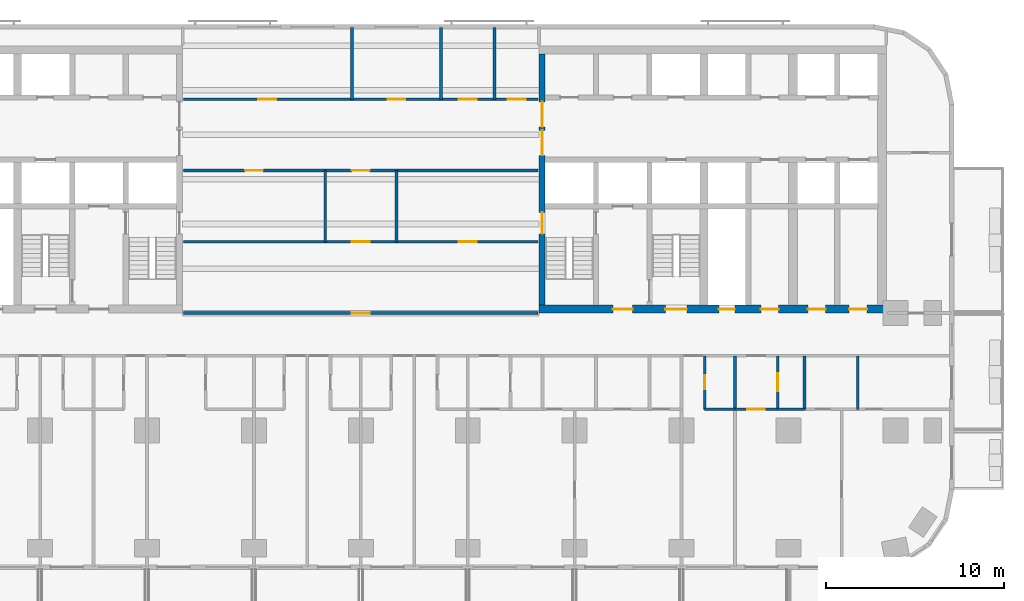
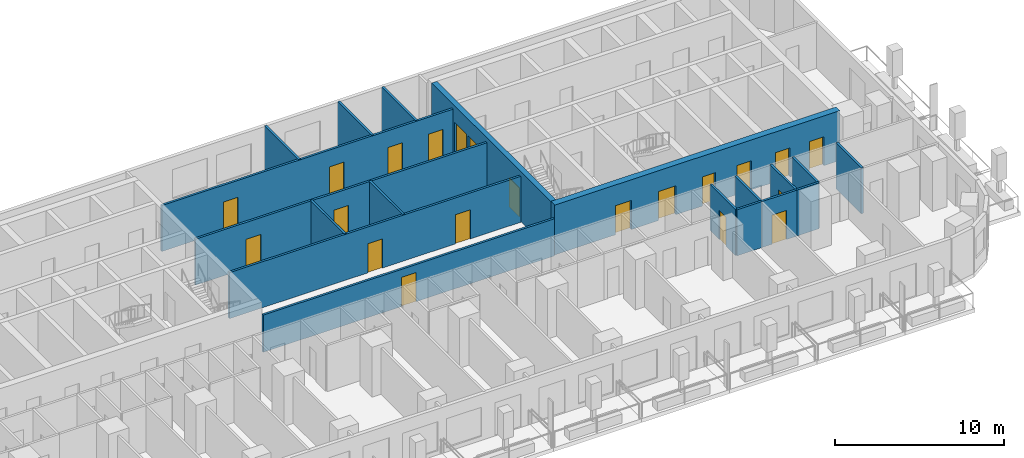
# One storey, part 7 of 15: 21 doors, 19 walls, 21 openings.
"""IFC4 building model written with IfcOpenShell, lengths in metres."""

from ifc_helpers import new_model, si_unit, direction, frame, frame_2d, origin, place, context, subcontext, project, spatial, rectangle, extrude, material, layer, layer_set, type_object, element, fill, save


model = new_model("IFC4")

# Units and contexts
model_context = context("Model", 3, precision=1e-05, world=origin(), true_north=direction((0.0, 1.0)))
body_context = subcontext(model_context, "Body", "Model", "MODEL_VIEW")
ifc_project = project(units=[si_unit("LENGTHUNIT", "METRE"), si_unit("AREAUNIT", "SQUARE_METRE"), si_unit("VOLUMEUNIT", "CUBIC_METRE"), si_unit("PLANEANGLEUNIT", "RADIAN"), si_unit("MASSUNIT", "GRAM", prefix="KILO")], contexts=[model_context])

# Site, building, storey
site_placement = place(None, origin())
site = spatial("IfcSite", under=ifc_project, at=site_placement, CompositionType="ELEMENT")
building_placement = place(site_placement, origin())
building = spatial("IfcBuilding", under=site, at=building_placement, Name="Torana Hotel and Residences", CompositionType="ELEMENT")
storey_placement = place(building_placement, frame((0.0, 0.0, 52.800048828125)))
storey = spatial("IfcBuildingStorey", under=building, at=storey_placement, Name="L12", CompositionType="ELEMENT", Elevation=52.800048828125)

# Wall, openings, doors
ifc_material_1 = material(Name="Concrete C80/95", Category="concrete")
ifc_layer_1 = layer(ifc_material_1, 0.35009765625)
ifc_layer_set_1 = layer_set([ifc_layer_1], Name="CORE WALL 350 C80/95")
wall_type_1 = type_object("IfcWallType", Name="CORE WALL 350 C80/95", PredefinedType="SHEAR", material=ifc_layer_set_1)
wall_1_placement = place(storey_placement, frame((10.175048828125, -14.550048828125, 0.0), z_axis=(0.0, 0.0, 1.0), x_axis=(0.0, 1.0, 0.0)))
wall_1 = element("IfcWall", 1, at=wall_1_placement, inside=storey, type_object=wall_type_1, Name="Core wall E arch", PredefinedType="SHEAR", context=body_context, shape_type="SweptSolid", body=[
    extrude(rectangle(XDim=14.10009765625, YDim=0.35009765625, at=frame_2d((7.050048828125, 0.0))), origin(), (0.0, 0.0, 1.0), 3.599853515625),
])
opening_1_placement = place(wall_1_placement, frame((8.39990234375, 0.0, 0.0)))
opening_1 = element("IfcOpeningElement", 2, at=opening_1_placement, cuts=wall_1, Name="Opening L12-17", PredefinedType="OPENING", context=body_context, shape_type="SweptSolid", body=[
    extrude(rectangle(XDim=1.39990234375, YDim=2.39990234375, at=frame_2d((0.699951171875, 1.199951171875))), frame((0.0, 0.18505859375, 0.0), z_axis=(0.0, -1.0, 0.0), x_axis=(1.0, 0.0, 0.0)), (0.0, 0.0, 1.0), 0.3701171875),
])
opening_2_placement = place(wall_1_placement, frame((10.0, 0.0, 0.0)))
opening_2 = element("IfcOpeningElement", 3, at=opening_2_placement, cuts=wall_1, Name="Opening L12-18", PredefinedType="OPENING", context=body_context, shape_type="SweptSolid", body=[
    extrude(rectangle(XDim=1.39990234375, YDim=2.39990234375, at=frame_2d((0.699951171875, 1.199951171875))), frame((0.0, 0.18505859375, 0.0), z_axis=(0.0, -1.0, 0.0), x_axis=(1.0, 0.0, 0.0)), (0.0, 0.0, 1.0), 0.3701171875),
])
opening_3_placement = place(wall_1_placement, frame((4.0, 0.0, 0.0)))
opening_3 = element("IfcOpeningElement", 4, at=opening_3_placement, cuts=wall_1, Name="Opening L12-19", PredefinedType="OPENING", context=body_context, shape_type="SweptSolid", body=[
    extrude(rectangle(XDim=1.199951171875, YDim=2.10009765625, at=frame_2d((0.60009765625, 1.050048828125))), frame((0.0, 0.18505859375, 0.0), z_axis=(0.0, -1.0, 0.0), x_axis=(1.0, 0.0, 0.0)), (0.0, 0.0, 1.0), 0.3701171875),
])
ifc_material_2 = material(Name="Steel S235", Category="steel")
door_type_1 = type_object("IfcDoorType", Name="LOBBY FIRE DOOR D4 1400x2400", OperationType="DOUBLE_DOOR_SINGLE_SWING", PredefinedType="DOOR", material=ifc_material_2)
door_1_placement = place(opening_1_placement, origin())
door_1 = element("IfcDoor", 5, at=door_1_placement, inside=storey, type_object=door_type_1, Name="Lobby-1 door L12", OperationType="DOUBLE_DOOR_SINGLE_SWING", OverallHeight=2.39990234375, OverallWidth=1.39990234375, PredefinedType="DOOR", context=body_context, shape_type="SweptSolid", body=[
    extrude(rectangle(XDim=1.39990234375, YDim=2.39990234375, at=frame_2d((0.699951171875, 1.199951171875))), frame((0.0, 0.02490234375, 0.0), z_axis=(0.0, -1.0, 0.0), x_axis=(1.0, 0.0, 0.0)), (0.0, 0.0, 1.0), 0.050048828125),
])
fill(opening_1, door_1)
door_2_placement = place(opening_2_placement, origin())
door_2 = element("IfcDoor", 6, at=door_2_placement, inside=storey, type_object=door_type_1, Name="Lobby-2 door L12", OperationType="DOUBLE_DOOR_SINGLE_SWING", OverallHeight=2.39990234375, OverallWidth=1.39990234375, PredefinedType="DOOR", context=body_context, shape_type="SweptSolid", body=[
    extrude(rectangle(XDim=1.39990234375, YDim=2.39990234375, at=frame_2d((0.699951171875, 1.199951171875))), frame((0.0, 0.02490234375, 0.0), z_axis=(0.0, -1.0, 0.0), x_axis=(1.0, 0.0, 0.0)), (0.0, 0.0, 1.0), 0.050048828125),
])
fill(opening_2, door_2)
ifc_material_3 = material(Name="Steel S235", Category="steel")
door_type_2 = type_object("IfcDoorType", Name="STAIR FIRE DOOR D3 1200x2100", OperationType="SINGLE_SWING_LEFT", PredefinedType="DOOR", material=ifc_material_3)
door_3_placement = place(opening_3_placement, frame((0.60009765625, 0.0, 0.0), z_axis=(0.0, 0.0, 1.0), x_axis=(-1.0, 0.0, 0.0)))
door_3 = element("IfcDoor", 7, at=door_3_placement, inside=storey, type_object=door_type_2, Name="Stair-A door L12", OperationType="SINGLE_SWING_RIGHT", OverallHeight=2.10009765625, OverallWidth=1.199951171875, PredefinedType="DOOR", context=body_context, shape_type="SweptSolid", body=[
    extrude(rectangle(XDim=1.199951171875, YDim=2.10009765625, at=frame_2d((0.0, 1.050048828125))), frame((0.0, -0.02490234375, 0.0), z_axis=(0.0, 1.0, 0.0), x_axis=(-1.0, 0.0, 0.0)), (0.0, 0.0, 1.0), 0.050048828125),
])
fill(opening_3, door_3)

ifc_material_4 = material(Name="Concrete C80/95", Category="concrete")
ifc_layer_2 = layer(ifc_material_4, 0.449951171875)
ifc_layer_set_2 = layer_set([ifc_layer_2], Name="CORE WALL 450 C80/95")
wall_type_2 = type_object("IfcWallType", Name="CORE WALL 450 C80/95", PredefinedType="SHEAR", material=ifc_layer_set_2)
wall_2_placement = place(storey_placement, frame((10.0, -14.77490234375, 0.0), z_axis=(0.0, 0.0, 1.0), x_axis=(1.0, 0.0, 0.0)))
wall_2 = element("IfcWall", 8, at=wall_2_placement, inside=storey, type_object=wall_type_2, Name="Core wall E front", PredefinedType="SHEAR", context=body_context, shape_type="SweptSolid", body=[
    extrude(rectangle(XDim=19.5, YDim=0.449951171875, at=frame_2d((9.75, 0.0))), origin(), (0.0, 0.0, 1.0), 3.599853515625),
])
opening_4_placement = place(wall_2_placement, frame((7.10009765625, 0.0, 0.0)))
opening_4 = element("IfcOpeningElement", 9, at=opening_4_placement, cuts=wall_2, Name="Opening L12-20", PredefinedType="OPENING", context=body_context, shape_type="SweptSolid", body=[
    extrude(rectangle(XDim=1.199951171875, YDim=2.10009765625, at=frame_2d((0.60009765625, 1.050048828125))), frame((0.0, 0.23486328125, 0.0), z_axis=(0.0, -1.0, 0.0), x_axis=(1.0, 0.0, 0.0)), (0.0, 0.0, 1.0), 0.469970703125),
])
opening_5_placement = place(wall_2_placement, frame((4.14990234375, 0.0, 0.0)))
opening_5 = element("IfcOpeningElement", 10, at=opening_5_placement, cuts=wall_2, Name="Opening L12-21", PredefinedType="OPENING", context=body_context, shape_type="SweptSolid", body=[
    extrude(rectangle(XDim=1.10009765625, YDim=2.10009765625, at=frame_2d((0.550048828125, 1.050048828125))), frame((0.0, 0.23486328125, 0.0), z_axis=(0.0, -1.0, 0.0), x_axis=(1.0, 0.0, 0.0)), (0.0, 0.0, 1.0), 0.469970703125),
])
opening_6_placement = place(wall_2_placement, frame((10.10009765625, 0.0, 0.0)))
opening_6 = element("IfcOpeningElement", 11, at=opening_6_placement, cuts=wall_2, Name="Opening L12-22", PredefinedType="OPENING", context=body_context, shape_type="SweptSolid", body=[
    extrude(rectangle(XDim=0.89990234375, YDim=2.10009765625, at=frame_2d((0.449951171875, 1.050048828125))), frame((0.0, 0.23486328125, 0.0), z_axis=(0.0, -1.0, 0.0), x_axis=(1.0, 0.0, 0.0)), (0.0, 0.0, 1.0), 0.469970703125),
])
opening_7_placement = place(wall_2_placement, frame((12.449951171875, 0.0, 0.0)))
opening_7 = element("IfcOpeningElement", 12, at=opening_7_placement, cuts=wall_2, Name="Opening L12-23", PredefinedType="OPENING", context=body_context, shape_type="SweptSolid", body=[
    extrude(rectangle(XDim=1.0, YDim=2.10009765625, at=frame_2d((0.5, 1.050048828125))), frame((0.0, 0.23486328125, 0.0), z_axis=(0.0, -1.0, 0.0), x_axis=(1.0, 0.0, 0.0)), (0.0, 0.0, 1.0), 0.469970703125),
])
opening_8_placement = place(wall_2_placement, frame((15.08740234375, 0.0, 0.0)))
opening_8 = element("IfcOpeningElement", 13, at=opening_8_placement, cuts=wall_2, Name="Opening L12-24", PredefinedType="OPENING", context=body_context, shape_type="SweptSolid", body=[
    extrude(rectangle(XDim=1.0, YDim=2.10009765625, at=frame_2d((0.5, 1.050048828125))), frame((0.0, 0.23486328125, 0.0), z_axis=(0.0, -1.0, 0.0), x_axis=(1.0, 0.0, 0.0)), (0.0, 0.0, 1.0), 0.469970703125),
])
opening_9_placement = place(wall_2_placement, frame((17.41259765625, 0.0, 0.0)))
opening_9 = element("IfcOpeningElement", 14, at=opening_9_placement, cuts=wall_2, Name="Opening L12-25", PredefinedType="OPENING", context=body_context, shape_type="SweptSolid", body=[
    extrude(rectangle(XDim=1.0, YDim=2.10009765625, at=frame_2d((0.5, 1.050048828125))), frame((0.0, 0.23486328125, 0.0), z_axis=(0.0, -1.0, 0.0), x_axis=(1.0, 0.0, 0.0)), (0.0, 0.0, 1.0), 0.469970703125),
])
ifc_material_5 = material(Name="Steel S235", Category="steel")
door_type_3 = type_object("IfcDoorType", Name="CORE ROOM FIRE DOOR D14 1000x2100", OperationType="SINGLE_SWING_LEFT", PredefinedType="DOOR", material=ifc_material_5)
door_4_placement = place(opening_7_placement, origin())
door_4 = element("IfcDoor", 15, at=door_4_placement, inside=storey, type_object=door_type_3, Name="M-Room door L12", OperationType="SINGLE_SWING_RIGHT", OverallHeight=2.10009765625, OverallWidth=1.0, PredefinedType="DOOR", context=body_context, shape_type="SweptSolid", body=[
    extrude(rectangle(XDim=1.0, YDim=2.10009765625, at=frame_2d((0.5, 1.050048828125))), frame((0.0, 0.02490234375, 0.0), z_axis=(0.0, -1.0, 0.0), x_axis=(1.0, 0.0, 0.0)), (0.0, 0.0, 1.0), 0.050048828125),
])
fill(opening_7, door_4)
door_5_placement = place(opening_8_placement, origin())
door_5 = element("IfcDoor", 16, at=door_5_placement, inside=storey, type_object=door_type_3, Name="L-A door L12", OperationType="SINGLE_SWING_RIGHT", OverallHeight=2.10009765625, OverallWidth=1.0, PredefinedType="DOOR", context=body_context, shape_type="SweptSolid", body=[
    extrude(rectangle(XDim=1.0, YDim=2.10009765625, at=frame_2d((0.5, 1.050048828125))), frame((0.0, 0.02490234375, 0.0), z_axis=(0.0, -1.0, 0.0), x_axis=(1.0, 0.0, 0.0)), (0.0, 0.0, 1.0), 0.050048828125),
])
fill(opening_8, door_5)
door_6_placement = place(opening_9_placement, origin())
door_6 = element("IfcDoor", 17, at=door_6_placement, inside=storey, type_object=door_type_3, Name="L-B door L12", OperationType="SINGLE_SWING_RIGHT", OverallHeight=2.10009765625, OverallWidth=1.0, PredefinedType="DOOR", context=body_context, shape_type="SweptSolid", body=[
    extrude(rectangle(XDim=1.0, YDim=2.10009765625, at=frame_2d((0.5, 1.050048828125))), frame((0.0, 0.02490234375, 0.0), z_axis=(0.0, -1.0, 0.0), x_axis=(1.0, 0.0, 0.0)), (0.0, 0.0, 1.0), 0.050048828125),
])
fill(opening_9, door_6)
ifc_material_6 = material(Name="Steel S235", Category="steel")
door_type_4 = type_object("IfcDoorType", Name="FIRE-FIGHTING LOBBY DOOR D8 1100x2100", OperationType="SINGLE_SWING_LEFT", PredefinedType="DOOR", material=ifc_material_6)
door_7_placement = place(opening_5_placement, origin())
door_7 = element("IfcDoor", 18, at=door_7_placement, inside=storey, type_object=door_type_4, Name="FF-lobby door L12", OperationType="SINGLE_SWING_RIGHT", OverallHeight=2.10009765625, OverallWidth=1.10009765625, PredefinedType="DOOR", context=body_context, shape_type="SweptSolid", body=[
    extrude(rectangle(XDim=1.10009765625, YDim=2.10009765625, at=frame_2d((0.550048828125, 1.050048828125))), frame((0.0, 0.02490234375, 0.0), z_axis=(0.0, -1.0, 0.0), x_axis=(1.0, 0.0, 0.0)), (0.0, 0.0, 1.0), 0.050048828125),
])
fill(opening_5, door_7)
ifc_material_7 = material(Name="Steel S235", Category="steel")
door_type_5 = type_object("IfcDoorType", Name="RISER ACCESS DOOR D5 900x2100", OperationType="SINGLE_SWING_LEFT", PredefinedType="DOOR", material=ifc_material_7)
door_8_placement = place(opening_6_placement, origin())
door_8 = element("IfcDoor", 19, at=door_8_placement, inside=storey, type_object=door_type_5, Name="M-Riser door L12", OperationType="SINGLE_SWING_RIGHT", OverallHeight=2.10009765625, OverallWidth=0.89990234375, PredefinedType="DOOR", context=body_context, shape_type="SweptSolid", body=[
    extrude(rectangle(XDim=0.89990234375, YDim=2.10009765625, at=frame_2d((0.449951171875, 1.050048828125))), frame((0.0, 0.02490234375, 0.0), z_axis=(0.0, -1.0, 0.0), x_axis=(1.0, 0.0, 0.0)), (0.0, 0.0, 1.0), 0.050048828125),
])
fill(opening_6, door_8)
door_9_placement = place(opening_4_placement, origin())
door_9 = element("IfcDoor", 20, at=door_9_placement, inside=storey, type_object=door_type_2, Name="Stair-B door L12", OperationType="SINGLE_SWING_RIGHT", OverallHeight=2.10009765625, OverallWidth=1.199951171875, PredefinedType="DOOR", context=body_context, shape_type="SweptSolid", body=[
    extrude(rectangle(XDim=1.199951171875, YDim=2.10009765625, at=frame_2d((0.60009765625, 1.050048828125))), frame((0.0, 0.02490234375, 0.0), z_axis=(0.0, -1.0, 0.0), x_axis=(1.0, 0.0, 0.0)), (0.0, 0.0, 1.0), 0.050048828125),
])
fill(opening_4, door_9)

# Wall, opening, door
ifc_material_8 = material(Name="Gypsum plaster")
ifc_layer_3 = layer(ifc_material_8, 0.014892578125, Name="Plaster", Category="finish")
ifc_material_9 = material(Name="Concrete blockwork", Category="masonry")
ifc_layer_4 = layer(ifc_material_9, 0.1201171875, Name="Blockwork", Category="structure")
ifc_layer_5 = layer(ifc_material_8, 0.014892578125, Name="Plaster", Category="finish")
ifc_layer_set_3 = layer_set([ifc_layer_3, ifc_layer_4, ifc_layer_5], Name="FIRE PARTITION 150 BLOCKWORK")
wall_type_3 = type_object("IfcWallType", Name="FIRE PARTITION 150 BLOCKWORK", PredefinedType="PARTITIONING", material=ifc_layer_set_3)
wall_3_placement = place(storey_placement, frame((23.39990234375, -20.39990234375, 0.0), z_axis=(0.0, 0.0, 1.0), x_axis=(0.0, 1.0, 0.0)))
wall_3 = element("IfcWall", 21, at=wall_3_placement, inside=storey, type_object=wall_type_3, Name="Partition L12", PredefinedType="PARTITIONING", context=body_context, shape_type="SweptSolid", body=[
    extrude(rectangle(XDim=3.0, YDim=0.14990234375, at=frame_2d((1.5, 0.0))), origin(), (0.0, 0.0, 1.0), 3.320068359375),
])
opening_10_placement = place(wall_3_placement, frame((1.02001953125, 0.0, 0.0)))
opening_10 = element("IfcOpeningElement", 22, at=opening_10_placement, cuts=wall_3, Name="Opening L12-78", PredefinedType="OPENING", context=body_context, shape_type="SweptSolid", body=[
    extrude(rectangle(XDim=1.0, YDim=2.10009765625, at=frame_2d((0.5, 1.050048828125))), frame((0.0, 0.0849609375, 0.0), z_axis=(0.0, -1.0, 0.0), x_axis=(1.0, 0.0, 0.0)), (0.0, 0.0, 1.0), 0.169921875),
])
ifc_material_10 = material(Name="Steel S235", Category="steel")
door_type_6 = type_object("IfcDoorType", Name="ENTRY FIRE DOOR D6 1000x2100", OperationType="SINGLE_SWING_LEFT", PredefinedType="DOOR", material=ifc_material_10)
door_10_placement = place(opening_10_placement, frame((0.5, 0.0, 0.0), z_axis=(0.0, 0.0, 1.0), x_axis=(-1.0, 0.0, 0.0)))
door_10 = element("IfcDoor", 23, at=door_10_placement, inside=storey, type_object=door_type_6, Name="Door L12", OperationType="SINGLE_SWING_LEFT", OverallHeight=2.10009765625, OverallWidth=1.0, PredefinedType="DOOR", context=body_context, shape_type="SweptSolid", body=[
    extrude(rectangle(XDim=1.0, YDim=2.10009765625, at=frame_2d((0.0, 1.050048828125))), frame((0.0, -0.02490234375, 0.0), z_axis=(0.0, 1.0, 0.0), x_axis=(-1.0, 0.0, 0.0)), (0.0, 0.0, 1.0), 0.050048828125),
])
fill(opening_10, door_10)

# Walls
wall_4_placement = place(storey_placement, frame((21.0, -20.39990234375, 0.0), z_axis=(0.0, 0.0, 1.0), x_axis=(0.0, 1.0, 0.0)))
element("IfcWall", 24, at=wall_4_placement, inside=storey, type_object=wall_type_3, Name="Partition L12", PredefinedType="PARTITIONING", context=body_context, shape_type="SweptSolid", body=[
    extrude(rectangle(XDim=3.0, YDim=0.14990234375, at=frame_2d((1.5, 0.0))), origin(), (0.0, 0.0, 1.0), 3.320068359375),
])
for number, where, z_axis, x_axis, name in (
    (25, (2.0, -11.0, 0.0), (0.0, 0.0, 1.0), (0.0, 1.0, 0.0), "Partition L12"),
    (26, (-2.0, -11.0, 0.0), (0.0, 0.0, 1.0), (0.0, 1.0, 0.0), "Partition L12"),
):
    element("IfcWall", number, at=place(storey_placement, frame(where, z_axis=z_axis, x_axis=x_axis)), inside=storey, type_object=wall_type_3, Name=name, PredefinedType="PARTITIONING", context=body_context, shape_type="SweptSolid", body=[
        extrude(rectangle(XDim=4.0, YDim=0.14990234375, at=frame_2d((2.0, 0.0))), origin(), (0.0, 0.0, 1.0), 3.320068359375),
    ])

# Wall, opening, door
wall_5_placement = place(storey_placement, frame((21.0, -20.39990234375, 0.0), z_axis=(0.0, 0.0, 1.0), x_axis=(1.0, 0.0, 0.0)))
wall_5 = element("IfcWall", 27, at=wall_5_placement, inside=storey, type_object=wall_type_3, Name="Partition L12", PredefinedType="PARTITIONING", context=body_context, shape_type="SweptSolid", body=[
    extrude(rectangle(XDim=2.39990234375, YDim=0.14990234375, at=frame_2d((1.199951171875, 0.0))), origin(), (0.0, 0.0, 1.0), 3.320068359375),
])
opening_11_placement = place(wall_5_placement, frame((0.679931640625, 0.0, 0.0)))
opening_11 = element("IfcOpeningElement", 28, at=opening_11_placement, cuts=wall_5, Name="Opening L12-79", PredefinedType="OPENING", context=body_context, shape_type="SweptSolid", body=[
    extrude(rectangle(XDim=1.0, YDim=2.10009765625, at=frame_2d((0.5, 1.050048828125))), frame((0.0, 0.0849609375, 0.0), z_axis=(0.0, -1.0, 0.0), x_axis=(1.0, 0.0, 0.0)), (0.0, 0.0, 1.0), 0.169921875),
])
door_11_placement = place(opening_11_placement, frame((0.5, 0.0, 0.0), z_axis=(0.0, 0.0, 1.0), x_axis=(-1.0, 0.0, 0.0)))
door_11 = element("IfcDoor", 29, at=door_11_placement, inside=storey, type_object=door_type_6, Name="Door L12", OperationType="SINGLE_SWING_LEFT", OverallHeight=2.10009765625, OverallWidth=1.0, PredefinedType="DOOR", context=body_context, shape_type="SweptSolid", body=[
    extrude(rectangle(XDim=1.0, YDim=2.10009765625, at=frame_2d((0.0, 1.050048828125))), frame((0.0, -0.02490234375, 0.0), z_axis=(0.0, 1.0, 0.0), x_axis=(-1.0, 0.0, 0.0)), (0.0, 0.0, 1.0), 0.050048828125),
])
fill(opening_11, door_11)

wall_6_placement = place(storey_placement, frame((-9.949951171875, -15.0, 0.0), z_axis=(0.0, 0.0, 1.0), x_axis=(1.0, 0.0, 0.0)))
wall_6 = element("IfcWall", 30, at=wall_6_placement, inside=storey, type_object=wall_type_3, Name="Partition L12", PredefinedType="PARTITIONING", context=body_context, shape_type="SweptSolid", body=[
    extrude(rectangle(XDim=19.89990234375, YDim=0.14990234375, at=frame_2d((9.949951171875, 0.0))), origin(), (0.0, 0.0, 1.0), 2.683837890625),
])
opening_12_placement = place(wall_6_placement, frame((9.449951171875, 0.0, 0.0)))
opening_12 = element("IfcOpeningElement", 31, at=opening_12_placement, cuts=wall_6, Name="Opening L12-33", PredefinedType="OPENING", context=body_context, shape_type="SweptSolid", body=[
    extrude(rectangle(XDim=1.0, YDim=2.10009765625, at=frame_2d((0.5, 1.050048828125))), frame((0.0, 0.0849609375, 0.0), z_axis=(0.0, -1.0, 0.0), x_axis=(1.0, 0.0, 0.0)), (0.0, 0.0, 1.0), 0.169921875),
])
door_12_placement = place(opening_12_placement, origin())
door_12 = element("IfcDoor", 32, at=door_12_placement, inside=storey, type_object=door_type_6, Name="Door L12", OperationType="SINGLE_SWING_RIGHT", OverallHeight=2.10009765625, OverallWidth=1.0, PredefinedType="DOOR", context=body_context, shape_type="SweptSolid", body=[
    extrude(rectangle(XDim=1.0, YDim=2.10009765625, at=frame_2d((0.5, 1.050048828125))), frame((0.0, 0.02490234375, 0.0), z_axis=(0.0, -1.0, 0.0), x_axis=(1.0, 0.0, 0.0)), (0.0, 0.0, 1.0), 0.050048828125),
])
fill(opening_12, door_12)

# Wall, openings, doors
wall_7_placement = place(storey_placement, frame((-9.949951171875, -11.0, 0.0), z_axis=(0.0, 0.0, 1.0), x_axis=(1.0, 0.0, 0.0)))
wall_7 = element("IfcWall", 33, at=wall_7_placement, inside=storey, type_object=wall_type_3, Name="Partition L12", PredefinedType="PARTITIONING", context=body_context, shape_type="SweptSolid", body=[
    extrude(rectangle(XDim=19.89990234375, YDim=0.14990234375, at=frame_2d((9.949951171875, 0.0))), origin(), (0.0, 0.0, 1.0), 3.320068359375),
])
opening_13_placement = place(wall_7_placement, frame((9.449951171875, 0.0, 0.0)))
opening_13 = element("IfcOpeningElement", 34, at=opening_13_placement, cuts=wall_7, Name="Opening L12-49", PredefinedType="OPENING", context=body_context, shape_type="SweptSolid", body=[
    extrude(rectangle(XDim=1.0, YDim=2.10009765625, at=frame_2d((0.5, 1.050048828125))), frame((0.0, 0.0849609375, 0.0), z_axis=(0.0, -1.0, 0.0), x_axis=(1.0, 0.0, 0.0)), (0.0, 0.0, 1.0), 0.169921875),
])
opening_14_placement = place(wall_7_placement, frame((15.449951171875, 0.0, 0.0)))
opening_14 = element("IfcOpeningElement", 35, at=opening_14_placement, cuts=wall_7, Name="Opening L12-50", PredefinedType="OPENING", context=body_context, shape_type="SweptSolid", body=[
    extrude(rectangle(XDim=1.0, YDim=2.10009765625, at=frame_2d((0.5, 1.050048828125))), frame((0.0, 0.0849609375, 0.0), z_axis=(0.0, -1.0, 0.0), x_axis=(1.0, 0.0, 0.0)), (0.0, 0.0, 1.0), 0.169921875),
])
door_13_placement = place(opening_13_placement, origin())
door_13 = element("IfcDoor", 36, at=door_13_placement, inside=storey, type_object=door_type_6, Name="Door L12", OperationType="SINGLE_SWING_RIGHT", OverallHeight=2.10009765625, OverallWidth=1.0, PredefinedType="DOOR", context=body_context, shape_type="SweptSolid", body=[
    extrude(rectangle(XDim=1.0, YDim=2.10009765625, at=frame_2d((0.5, 1.050048828125))), frame((0.0, 0.02490234375, 0.0), z_axis=(0.0, -1.0, 0.0), x_axis=(1.0, 0.0, 0.0)), (0.0, 0.0, 1.0), 0.050048828125),
])
fill(opening_13, door_13)
door_14_placement = place(opening_14_placement, origin())
door_14 = element("IfcDoor", 37, at=door_14_placement, inside=storey, type_object=door_type_6, Name="Door L12", OperationType="SINGLE_SWING_RIGHT", OverallHeight=2.10009765625, OverallWidth=1.0, PredefinedType="DOOR", context=body_context, shape_type="SweptSolid", body=[
    extrude(rectangle(XDim=1.0, YDim=2.10009765625, at=frame_2d((0.5, 1.050048828125))), frame((0.0, 0.02490234375, 0.0), z_axis=(0.0, -1.0, 0.0), x_axis=(1.0, 0.0, 0.0)), (0.0, 0.0, 1.0), 0.050048828125),
])
fill(opening_14, door_14)

wall_8_placement = place(storey_placement, frame((-9.949951171875, -7.0, 0.0), z_axis=(0.0, 0.0, 1.0), x_axis=(1.0, 0.0, 0.0)))
wall_8 = element("IfcWall", 38, at=wall_8_placement, inside=storey, type_object=wall_type_3, Name="Partition L12", PredefinedType="PARTITIONING", context=body_context, shape_type="SweptSolid", body=[
    extrude(rectangle(XDim=19.89990234375, YDim=0.14990234375, at=frame_2d((9.949951171875, 0.0))), origin(), (0.0, 0.0, 1.0), 3.320068359375),
])
opening_15_placement = place(wall_8_placement, frame((9.449951171875, 0.0, 0.0)))
opening_15 = element("IfcOpeningElement", 39, at=opening_15_placement, cuts=wall_8, Name="Opening L12-51", PredefinedType="OPENING", context=body_context, shape_type="SweptSolid", body=[
    extrude(rectangle(XDim=1.0, YDim=2.10009765625, at=frame_2d((0.5, 1.050048828125))), frame((0.0, 0.0849609375, 0.0), z_axis=(0.0, -1.0, 0.0), x_axis=(1.0, 0.0, 0.0)), (0.0, 0.0, 1.0), 0.169921875),
])
opening_16_placement = place(wall_8_placement, frame((3.449951171875, 0.0, 0.0)))
opening_16 = element("IfcOpeningElement", 40, at=opening_16_placement, cuts=wall_8, Name="Opening L12-52", PredefinedType="OPENING", context=body_context, shape_type="SweptSolid", body=[
    extrude(rectangle(XDim=1.0, YDim=2.10009765625, at=frame_2d((0.5, 1.050048828125))), frame((0.0, 0.0849609375, 0.0), z_axis=(0.0, -1.0, 0.0), x_axis=(1.0, 0.0, 0.0)), (0.0, 0.0, 1.0), 0.169921875),
])
door_15_placement = place(opening_15_placement, origin())
door_15 = element("IfcDoor", 41, at=door_15_placement, inside=storey, type_object=door_type_6, Name="Door L12", OperationType="SINGLE_SWING_RIGHT", OverallHeight=2.10009765625, OverallWidth=1.0, PredefinedType="DOOR", context=body_context, shape_type="SweptSolid", body=[
    extrude(rectangle(XDim=1.0, YDim=2.10009765625, at=frame_2d((0.5, 1.050048828125))), frame((0.0, 0.02490234375, 0.0), z_axis=(0.0, -1.0, 0.0), x_axis=(1.0, 0.0, 0.0)), (0.0, 0.0, 1.0), 0.050048828125),
])
fill(opening_15, door_15)
door_16_placement = place(opening_16_placement, frame((0.5, 0.0, 0.0), z_axis=(0.0, 0.0, 1.0), x_axis=(-1.0, 0.0, 0.0)))
door_16 = element("IfcDoor", 42, at=door_16_placement, inside=storey, type_object=door_type_6, Name="Door L12", OperationType="SINGLE_SWING_LEFT", OverallHeight=2.10009765625, OverallWidth=1.0, PredefinedType="DOOR", context=body_context, shape_type="SweptSolid", body=[
    extrude(rectangle(XDim=1.0, YDim=2.10009765625, at=frame_2d((0.0, 1.050048828125))), frame((0.0, -0.02490234375, 0.0), z_axis=(0.0, 1.0, 0.0), x_axis=(-1.0, 0.0, 0.0)), (0.0, 0.0, 1.0), 0.050048828125),
])
fill(opening_16, door_16)

wall_9_placement = place(storey_placement, frame((-9.949951171875, -3.0, 0.0), z_axis=(0.0, 0.0, 1.0), x_axis=(1.0, 0.0, 0.0)))
wall_9 = element("IfcWall", 43, at=wall_9_placement, inside=storey, type_object=wall_type_3, Name="Partition L12", PredefinedType="PARTITIONING", context=body_context, shape_type="SweptSolid", body=[
    extrude(rectangle(XDim=19.89990234375, YDim=0.14990234375, at=frame_2d((9.949951171875, 0.0))), origin(), (0.0, 0.0, 1.0), 3.320068359375),
])
opening_17_placement = place(wall_9_placement, frame((4.199951171875, 0.0, 0.0)))
opening_17 = element("IfcOpeningElement", 44, at=opening_17_placement, cuts=wall_9, Name="Opening L12-53", PredefinedType="OPENING", context=body_context, shape_type="SweptSolid", body=[
    extrude(rectangle(XDim=1.0, YDim=2.10009765625, at=frame_2d((0.5, 1.050048828125))), frame((0.0, 0.0849609375, 0.0), z_axis=(0.0, -1.0, 0.0), x_axis=(1.0, 0.0, 0.0)), (0.0, 0.0, 1.0), 0.169921875),
])
opening_18_placement = place(wall_9_placement, frame((11.449951171875, 0.0, 0.0)))
opening_18 = element("IfcOpeningElement", 45, at=opening_18_placement, cuts=wall_9, Name="Opening L12-54", PredefinedType="OPENING", context=body_context, shape_type="SweptSolid", body=[
    extrude(rectangle(XDim=1.0, YDim=2.10009765625, at=frame_2d((0.5, 1.050048828125))), frame((0.0, 0.0849609375, 0.0), z_axis=(0.0, -1.0, 0.0), x_axis=(1.0, 0.0, 0.0)), (0.0, 0.0, 1.0), 0.169921875),
])
opening_19_placement = place(wall_9_placement, frame((15.449951171875, 0.0, 0.0)))
opening_19 = element("IfcOpeningElement", 46, at=opening_19_placement, cuts=wall_9, Name="Opening L12-55", PredefinedType="OPENING", context=body_context, shape_type="SweptSolid", body=[
    extrude(rectangle(XDim=1.0, YDim=2.10009765625, at=frame_2d((0.5, 1.050048828125))), frame((0.0, 0.0849609375, 0.0), z_axis=(0.0, -1.0, 0.0), x_axis=(1.0, 0.0, 0.0)), (0.0, 0.0, 1.0), 0.169921875),
])
opening_20_placement = place(wall_9_placement, frame((18.199951171875, 0.0, 0.0)))
opening_20 = element("IfcOpeningElement", 47, at=opening_20_placement, cuts=wall_9, Name="Opening L12-56", PredefinedType="OPENING", context=body_context, shape_type="SweptSolid", body=[
    extrude(rectangle(XDim=1.0, YDim=2.10009765625, at=frame_2d((0.5, 1.050048828125))), frame((0.0, 0.0849609375, 0.0), z_axis=(0.0, -1.0, 0.0), x_axis=(1.0, 0.0, 0.0)), (0.0, 0.0, 1.0), 0.169921875),
])
door_17_placement = place(opening_17_placement, origin())
door_17 = element("IfcDoor", 48, at=door_17_placement, inside=storey, type_object=door_type_6, Name="Door L12", OperationType="SINGLE_SWING_RIGHT", OverallHeight=2.10009765625, OverallWidth=1.0, PredefinedType="DOOR", context=body_context, shape_type="SweptSolid", body=[
    extrude(rectangle(XDim=1.0, YDim=2.10009765625, at=frame_2d((0.5, 1.050048828125))), frame((0.0, 0.02490234375, 0.0), z_axis=(0.0, -1.0, 0.0), x_axis=(1.0, 0.0, 0.0)), (0.0, 0.0, 1.0), 0.050048828125),
])
fill(opening_17, door_17)
door_18_placement = place(opening_18_placement, origin())
door_18 = element("IfcDoor", 49, at=door_18_placement, inside=storey, type_object=door_type_6, Name="Door L12", OperationType="SINGLE_SWING_RIGHT", OverallHeight=2.10009765625, OverallWidth=1.0, PredefinedType="DOOR", context=body_context, shape_type="SweptSolid", body=[
    extrude(rectangle(XDim=1.0, YDim=2.10009765625, at=frame_2d((0.5, 1.050048828125))), frame((0.0, 0.02490234375, 0.0), z_axis=(0.0, -1.0, 0.0), x_axis=(1.0, 0.0, 0.0)), (0.0, 0.0, 1.0), 0.050048828125),
])
fill(opening_18, door_18)
door_19_placement = place(opening_19_placement, origin())
door_19 = element("IfcDoor", 50, at=door_19_placement, inside=storey, type_object=door_type_6, Name="Door L12", OperationType="SINGLE_SWING_RIGHT", OverallHeight=2.10009765625, OverallWidth=1.0, PredefinedType="DOOR", context=body_context, shape_type="SweptSolid", body=[
    extrude(rectangle(XDim=1.0, YDim=2.10009765625, at=frame_2d((0.5, 1.050048828125))), frame((0.0, 0.02490234375, 0.0), z_axis=(0.0, -1.0, 0.0), x_axis=(1.0, 0.0, 0.0)), (0.0, 0.0, 1.0), 0.050048828125),
])
fill(opening_19, door_19)
door_20_placement = place(opening_20_placement, origin())
door_20 = element("IfcDoor", 51, at=door_20_placement, inside=storey, type_object=door_type_6, Name="Door L12", OperationType="SINGLE_SWING_RIGHT", OverallHeight=2.10009765625, OverallWidth=1.0, PredefinedType="DOOR", context=body_context, shape_type="SweptSolid", body=[
    extrude(rectangle(XDim=1.0, YDim=2.10009765625, at=frame_2d((0.5, 1.050048828125))), frame((0.0, 0.02490234375, 0.0), z_axis=(0.0, -1.0, 0.0), x_axis=(1.0, 0.0, 0.0)), (0.0, 0.0, 1.0), 0.050048828125),
])
fill(opening_20, door_20)

# Wall
ifc_material_11 = material(Name="Gypsum plasterboard")
ifc_layer_6 = layer(ifc_material_11, 0.012451171875, Name="Plasterboard", Category="finish")
ifc_layer_7 = layer(ifc_material_11, 0.012451171875, Name="Plasterboard", Category="finish")
ifc_material_12 = material(Name="Steel S280GD", Category="steel")
ifc_layer_8 = layer(ifc_material_12, 0.10009765625, Name="Steel studs with mineral wool", Category="insulation")
ifc_layer_9 = layer(ifc_material_11, 0.012451171875, Name="Plasterboard", Category="finish")
ifc_layer_10 = layer(ifc_material_11, 0.012451171875, Name="Plasterboard", Category="finish")
ifc_layer_set_4 = layer_set([ifc_layer_6, ifc_layer_7, ifc_layer_8, ifc_layer_9, ifc_layer_10], Name="PARTITION 150 PLASTERBOARD")
wall_type_4 = type_object("IfcWallType", Name="PARTITION 150 PLASTERBOARD", PredefinedType="PARTITIONING", material=ifc_layer_set_4)
wall_10_placement = place(storey_placement, frame((27.89990234375, -20.39990234375, 0.0), z_axis=(0.0, 0.0, 1.0), x_axis=(0.0, 1.0, 0.0)))
element("IfcWall", 52, at=wall_10_placement, inside=storey, type_object=wall_type_4, Name="Partition L12", PredefinedType="PARTITIONING", context=body_context, shape_type="SweptSolid", body=[
    extrude(rectangle(XDim=3.0, YDim=0.14990234375, at=frame_2d((1.5, 0.0))), origin(), (0.0, 0.0, 1.0), 3.320068359375),
])

# Wall, opening, door
wall_11_placement = place(storey_placement, frame((19.300048828125, -20.39990234375, 0.0), z_axis=(0.0, 0.0, 1.0), x_axis=(0.0, 1.0, 0.0)))
wall_11 = element("IfcWall", 53, at=wall_11_placement, inside=storey, type_object=wall_type_4, Name="Partition L12", PredefinedType="PARTITIONING", context=body_context, shape_type="SweptSolid", body=[
    extrude(rectangle(XDim=3.0, YDim=0.14990234375, at=frame_2d((1.5, 0.0))), origin(), (0.0, 0.0, 1.0), 3.320068359375),
])
opening_21_placement = place(wall_11_placement, frame((1.1201171875, 0.0, 0.0)))
opening_21 = element("IfcOpeningElement", 54, at=opening_21_placement, cuts=wall_11, Name="Opening L12-72", PredefinedType="OPENING", context=body_context, shape_type="SweptSolid", body=[
    extrude(rectangle(XDim=0.800048828125, YDim=2.10009765625, at=frame_2d((0.39990234375, 1.050048828125))), frame((0.0, 0.0849609375, 0.0), z_axis=(0.0, -1.0, 0.0), x_axis=(1.0, 0.0, 0.0)), (0.0, 0.0, 1.0), 0.169921875),
])
ifc_material_13 = material(Name="Timber door, painted", Category="wood")
door_type_7 = type_object("IfcDoorType", Name="BATH DOOR D13 800x2100", OperationType="SINGLE_SWING_LEFT", PredefinedType="DOOR", material=ifc_material_13)
door_21_placement = place(opening_21_placement, origin())
door_21 = element("IfcDoor", 55, at=door_21_placement, inside=storey, type_object=door_type_7, Name="Door L12", OperationType="SINGLE_SWING_LEFT", OverallHeight=2.10009765625, OverallWidth=0.800048828125, PredefinedType="DOOR", context=body_context, shape_type="SweptSolid", body=[
    extrude(rectangle(XDim=0.800048828125, YDim=2.10009765625, at=frame_2d((0.39990234375, 1.050048828125))), frame((0.0, 0.02490234375, 0.0), z_axis=(0.0, -1.0, 0.0), x_axis=(1.0, 0.0, 0.0)), (0.0, 0.0, 1.0), 0.050048828125),
])
fill(opening_21, door_21)

# Walls
wall_12_placement = place(storey_placement, frame((-0.5, -3.0, 0.0), z_axis=(0.0, 0.0, 1.0), x_axis=(0.0, 1.0, 0.0)))
element("IfcWall", 56, at=wall_12_placement, inside=storey, type_object=wall_type_4, Name="Partition L12", PredefinedType="PARTITIONING", context=body_context, shape_type="SweptSolid", body=[
    extrude(rectangle(XDim=4.02001953125, YDim=0.14990234375, at=frame_2d((2.010009765625, 0.0))), origin(), (0.0, 0.0, 1.0), 3.320068359375),
])
wall_13_placement = place(storey_placement, frame((19.300048828125, -20.39990234375, 0.0), z_axis=(0.0, 0.0, 1.0), x_axis=(1.0, 0.0, 0.0)))
element("IfcWall", 57, at=wall_13_placement, inside=storey, type_object=wall_type_4, Name="Partition L12", PredefinedType="PARTITIONING", context=body_context, shape_type="SweptSolid", body=[
    extrude(rectangle(XDim=1.699951171875, YDim=0.14990234375, at=frame_2d((0.85009765625, 0.0))), origin(), (0.0, 0.0, 1.0), 3.320068359375),
])
ifc_material_14 = material(Name="Ceramic tile on adhesive")
ifc_layer_11 = layer(ifc_material_14, 0.010009765625, Name="Wall tile", Category="finish")
ifc_material_15 = material(Name="Cement render")
ifc_layer_12 = layer(ifc_material_15, 0.010009765625, Name="Render", Category="finish")
ifc_layer_13 = layer(ifc_material_9, 0.110107421875, Name="Blockwork", Category="structure")
ifc_layer_14 = layer(ifc_material_15, 0.010009765625, Name="Render", Category="finish")
ifc_layer_15 = layer(ifc_material_14, 0.010009765625, Name="Wall tile", Category="finish")
ifc_layer_set_5 = layer_set([ifc_layer_11, ifc_layer_12, ifc_layer_13, ifc_layer_14, ifc_layer_15], Name="WC PARTITION 150")
wall_type_5 = type_object("IfcWallType", Name="WC PARTITION 150", PredefinedType="PLUMBINGWALL", material=ifc_layer_set_5)
wall_14_placement = place(storey_placement, frame((24.89990234375, -20.39990234375, 0.0), z_axis=(0.0, 0.0, 1.0), x_axis=(0.0, 1.0, 0.0)))
element("IfcWall", 58, at=wall_14_placement, inside=storey, type_object=wall_type_5, Name="Partition L12", PredefinedType="PLUMBINGWALL", context=body_context, shape_type="SweptSolid", body=[
    extrude(rectangle(XDim=3.0, YDim=0.14990234375, at=frame_2d((1.5, 0.0))), origin(), (0.0, 0.0, 1.0), 3.320068359375),
])
for number, where, z_axis, x_axis, name in (
    (59, (7.5, -3.0, 0.0), (0.0, 0.0, 1.0), (0.0, 1.0, 0.0), "Partition L12"),
    (60, (4.5, -3.0, 0.0), (0.0, 0.0, 1.0), (0.0, 1.0, 0.0), "Partition L12"),
):
    element("IfcWall", number, at=place(storey_placement, frame(where, z_axis=z_axis, x_axis=x_axis)), inside=storey, type_object=wall_type_5, Name=name, PredefinedType="PLUMBINGWALL", context=body_context, shape_type="SweptSolid", body=[
        extrude(rectangle(XDim=4.02001953125, YDim=0.14990234375, at=frame_2d((2.010009765625, 0.0))), origin(), (0.0, 0.0, 1.0), 3.320068359375),
    ])
wall_15_placement = place(storey_placement, frame((23.39990234375, -20.39990234375, 0.0), z_axis=(0.0, 0.0, 1.0), x_axis=(1.0, 0.0, 0.0)))
element("IfcWall", 61, at=wall_15_placement, inside=storey, type_object=wall_type_5, Name="Partition L12", PredefinedType="PLUMBINGWALL", context=body_context, shape_type="SweptSolid", body=[
    extrude(rectangle(XDim=1.5, YDim=0.14990234375, at=frame_2d((0.75, 0.0))), origin(), (0.0, 0.0, 1.0), 3.320068359375),
])

save(model, "model.ifc")
